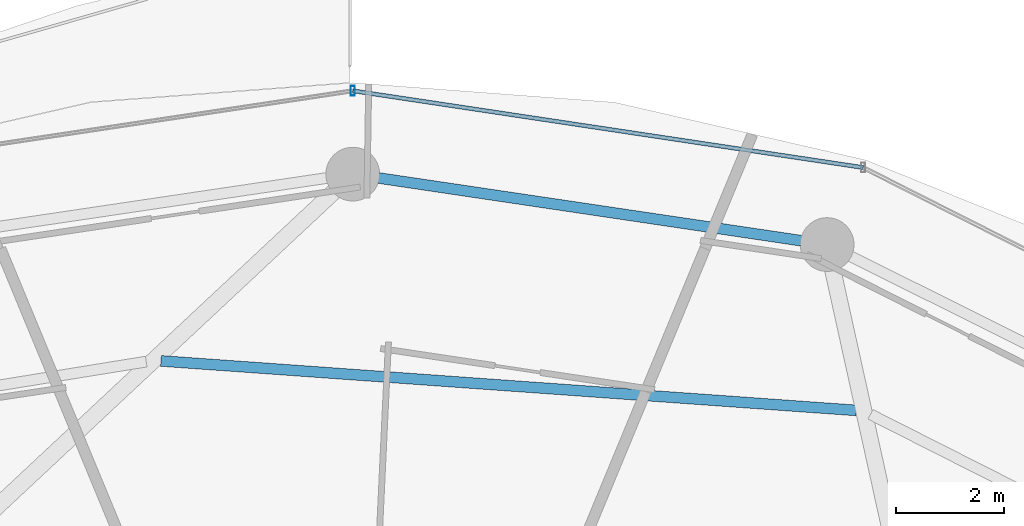
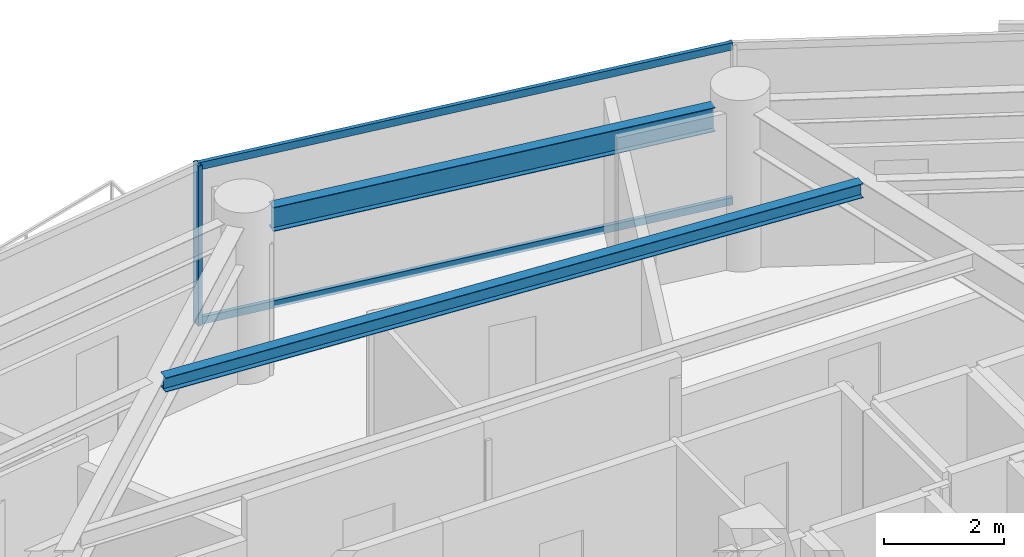
# One storey, part 18 of 29: 3 members, 2 beams, 1 element without a shape of its own.
"""IFC4 building model written with IfcOpenShell, lengths in metres."""

from ifc_helpers import new_model, si_unit, direction, frame, origin, origin_2d, place, context, subcontext, project, spatial, hollow_rectangle, i_section, extrude, material, material_profile, profile_set, type_object, element, aggregate, save


model = new_model("IFC4")

# Units and contexts
model_context = context("Model", 3, precision=1e-05, world=origin(), true_north=direction((0.0, 1.0)))
body_context = subcontext(model_context, "Body", "Model", "MODEL_VIEW")
ifc_project = project(units=[si_unit("LENGTHUNIT", "METRE"), si_unit("AREAUNIT", "SQUARE_METRE"), si_unit("VOLUMEUNIT", "CUBIC_METRE"), si_unit("PLANEANGLEUNIT", "RADIAN"), si_unit("MASSUNIT", "GRAM", prefix="KILO")], contexts=[model_context])

# Site, building, storey
site_placement = place(None, origin())
site = spatial("IfcSite", under=ifc_project, at=site_placement, CompositionType="ELEMENT")
building_placement = place(site_placement, origin())
building = spatial("IfcBuilding", under=site, at=building_placement, Name="Vorneva Point Tower", CompositionType="ELEMENT")
storey_placement = place(building_placement, frame((0.0, 0.0, 171.10009765625)))
storey = spatial("IfcBuildingStorey", under=building, at=storey_placement, Name="L46", CompositionType="ELEMENT", Elevation=171.10009765625)

# Beams
ifc_material_1 = material(Name="Steel S355", Category="steel")
ifc_material_profile_1 = material_profile(ifc_material_1, i_section(OverallWidth=0.199951171875, OverallDepth=0.291015625, WebThickness=0.008056640625, FlangeThickness=0.010986328125, at=origin_2d()), Name="30Sh1")
ifc_profile_set_1 = profile_set([ifc_material_profile_1], Name="Steel S355")
beam_type_1 = type_object("IfcBeamType", Name="BM-SEC-30Sh1", PredefinedType="BEAM", material=ifc_profile_set_1)
beam_1_placement = place(storey_placement, frame((47.3662109375, 38.806396484375, 3.054443359375), z_axis=(-0.997475780463, 0.071007516435, 0.0), x_axis=(-0.071007516435, -0.997475780463, 0.0)))
element("IfcBeam", 1, at=beam_1_placement, inside=storey, type_object=beam_type_1, Name="L46 Secondary Floor Beam 1.04", PredefinedType="BEAM", context=body_context, shape_type="SweptSolid", body=[
    extrude(i_section(OverallWidth=0.199951171875, OverallDepth=0.291015625, WebThickness=0.008056640625, FlangeThickness=0.010986328125, at=origin_2d()), origin(), (0.0, 0.0, 1.0), 12.965576171875),
])
ifc_material_profile_2 = material_profile(ifc_material_1, i_section(OverallWidth=0.199951171875, OverallDepth=0.491943359375, WebThickness=0.0087890625, FlangeThickness=0.011962890625, at=origin_2d()), Name="50B1")
ifc_profile_set_2 = profile_set([ifc_material_profile_2], Name="Steel S355")
beam_type_2 = type_object("IfcBeamType", Name="BM-SPN-50B1", PredefinedType="SPANDREL", material=ifc_profile_set_2)
beam_2_placement = place(storey_placement, frame((46.34130859375, 41.9619140625, 2.953857421875), z_axis=(-0.989161199046, 0.146833655211, 0.0), x_axis=(-0.146833655211, -0.989161199046, 0.0)))
element("IfcBeam", 2, at=beam_2_placement, inside=storey, type_object=beam_type_2, Name="L46 Perimeter Spandrel Ring Beam 04", PredefinedType="SPANDREL", context=body_context, shape_type="SweptSolid", body=[
    extrude(i_section(OverallWidth=0.199951171875, OverallDepth=0.491943359375, WebThickness=0.0087890625, FlangeThickness=0.011962890625, at=origin_2d()), origin(), (0.0, 0.0, 1.0), 7.94775390625),
])

# Curtain wall, members
ifc_material_2 = material(Name="Pale anodised aluminium", Category="aluminium")
curtain_wall_type = type_object("IfcCurtainWallType", Name="CW-RES-SYS", PredefinedType="NOTDEFINED", material=ifc_material_2)
curtain_wall_placement = place(storey_placement, origin())
curtain_wall = element("IfcCurtainWall", 3, at=curtain_wall_placement, inside=storey, type_object=curtain_wall_type, Name="L46 Unitised Curtain Wall CW-L46-R02", PredefinedType="NOTDEFINED")
ifc_material_profile_3 = material_profile(ifc_material_2, hollow_rectangle(XDim=0.074951171875, YDim=0.179931640625, WallThickness=0.00390625, at=origin_2d()), Name="AL-MUL 180x75x4")
ifc_profile_set_3 = profile_set([ifc_material_profile_3], Name="Pale anodised aluminium")
member_type_1 = type_object("IfcMemberType", Name="CW-MUL-180", PredefinedType="MULLION", material=ifc_profile_set_3)
member_1_placement = place(storey_placement, frame((38.0, 44.75, -0.0400390625), z_axis=(0.0, 0.0, 1.0), x_axis=(1.0, 0.0, 0.0)))
member_1 = element("IfcMember", 4, at=member_1_placement, type_object=member_type_1, Name="CW-L46-R02 Mullion 03", PredefinedType="MULLION", context=body_context, shape_type="SweptSolid", body=[
    extrude(hollow_rectangle(XDim=0.074951171875, YDim=0.179931640625, WallThickness=0.00390625, at=origin_2d()), origin(), (0.0, 0.0, 1.0), 3.27001953125),
])
ifc_material_profile_4 = material_profile(ifc_material_2, hollow_rectangle(XDim=0.074951171875, YDim=0.14990234375, WallThickness=0.00390625, at=origin_2d()), Name="AL-TRN 150x75x4")
ifc_profile_set_4 = profile_set([ifc_material_profile_4], Name="Pale anodised aluminium")
member_type_2 = type_object("IfcMemberType", Name="CW-TRN-150", PredefinedType="USERDEFINED", material=ifc_profile_set_4)
member_2_placement = place(storey_placement, frame((47.490478515625, 43.32275390625, 0.02001953125), z_axis=(-0.988880117727, 0.148714870687, 0.0), x_axis=(-0.148714870687, -0.988880117727, 0.0)))
member_2 = element("IfcMember", 5, at=member_2_placement, type_object=member_type_2, Name="CW-L46-R02 Transom 02.1", ObjectType="TRANSOM", PredefinedType="USERDEFINED", context=body_context, shape_type="SweptSolid", body=[
    extrude(hollow_rectangle(XDim=0.074951171875, YDim=0.14990234375, WallThickness=0.00390625, at=origin_2d()), origin(), (0.0, 0.0, 1.0), 9.59716796875),
])
member_3_placement = place(storey_placement, frame((47.490478515625, 43.32275390625, 3.179931640625), z_axis=(-0.988880117727, 0.148714870687, 0.0), x_axis=(-0.148714870687, -0.988880117727, 0.0)))
member_3 = element("IfcMember", 6, at=member_3_placement, type_object=member_type_2, Name="CW-L46-R02 Transom 02.2", ObjectType="TRANSOM", PredefinedType="USERDEFINED", context=body_context, shape_type="SweptSolid", body=[
    extrude(hollow_rectangle(XDim=0.074951171875, YDim=0.14990234375, WallThickness=0.00390625, at=origin_2d()), origin(), (0.0, 0.0, 1.0), 9.59716796875),
])
aggregate(curtain_wall, [member_1, member_2, member_3])

save(model, "model.ifc")
